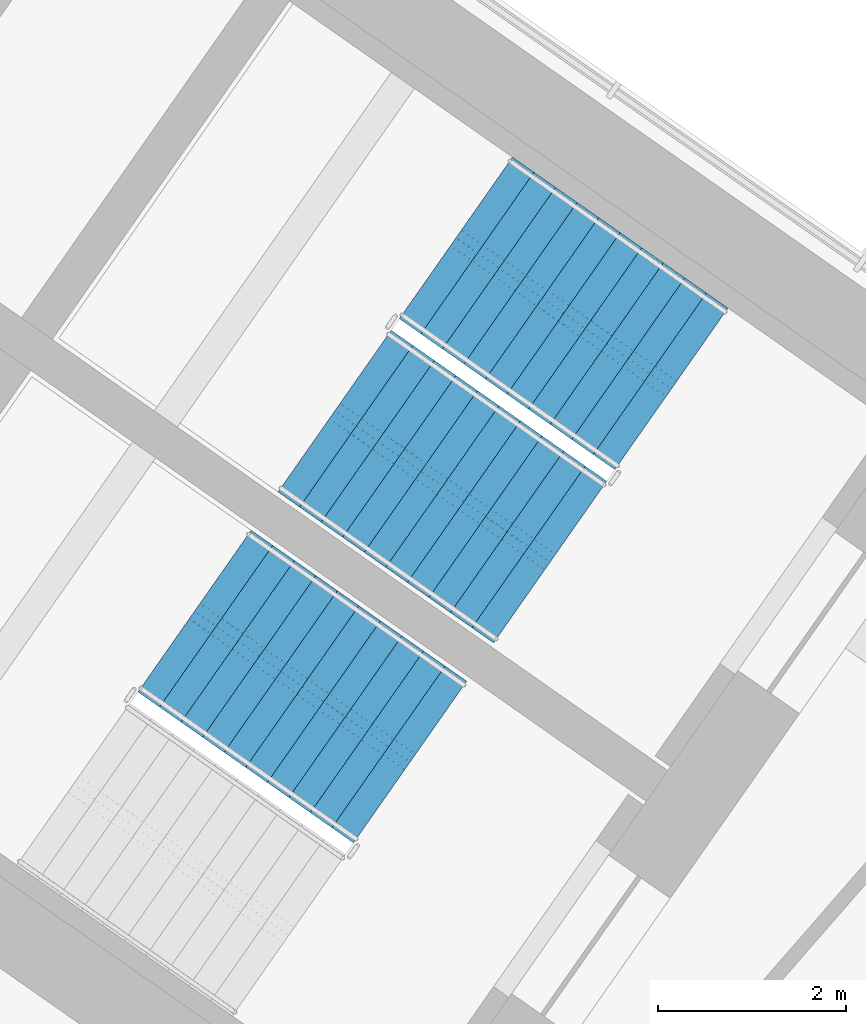
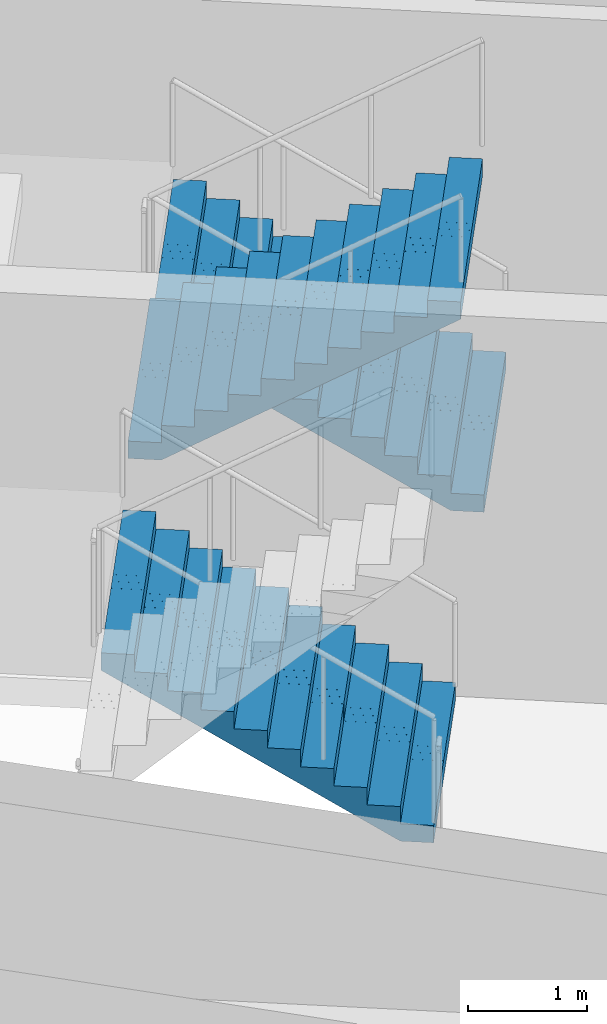
# One storey, part 18 of 23: 3 stair flights, 2 elements without a shape of their own.
"""IFC4 building model written with IfcOpenShell, lengths in metres."""

from ifc_helpers import new_model, si_unit, direction, frame, origin, place, context, subcontext, project, spatial, polyline, outline, extrude, material, type_object, element, aggregate, save


model = new_model("IFC4")

# Units and contexts
model_context = context("Model", 3, precision=1e-05, world=origin(), true_north=direction((0.0, 1.0)))
body_context = subcontext(model_context, "Body", "Model", "MODEL_VIEW")
ifc_project = project(units=[si_unit("LENGTHUNIT", "METRE"), si_unit("AREAUNIT", "SQUARE_METRE"), si_unit("VOLUMEUNIT", "CUBIC_METRE"), si_unit("PLANEANGLEUNIT", "RADIAN"), si_unit("MASSUNIT", "GRAM", prefix="KILO")], contexts=[model_context])

# Site, building, storey
site_placement = place(None, origin())
site = spatial("IfcSite", under=ifc_project, at=site_placement, CompositionType="ELEMENT")
building_placement = place(site_placement, origin())
building = spatial("IfcBuilding", under=site, at=building_placement, Name="Tel Ilan Convention Tower", CompositionType="ELEMENT")
storey_placement = place(building_placement, frame((0.0, 0.0, 178.800048828125)))
storey = spatial("IfcBuildingStorey", under=building, at=storey_placement, Name="L41", CompositionType="ELEMENT", Elevation=178.800048828125)

# Stair, stair flights
ifc_material_1 = material(Name="Concrete C40/50", Category="concrete")
stair_type = type_object("IfcStairType", Name="Pressurised Exit Stair 22 risers 177 mm", PredefinedType="HALF_TURN_STAIR", material=ifc_material_1)
stair_1_placement = place(storey_placement, origin())
stair_1 = element("IfcStair", 1, at=stair_1_placement, inside=storey, type_object=stair_type, Name="L41 Pressurised Stair S3", PredefinedType="HALF_TURN_STAIR")
ifc_material_2 = material(Name="Precast Concrete C40/50", Category="concrete")
stair_flight_type = type_object("IfcStairFlightType", Name="Concrete Stair Flight 2100 mm 22 risers 177 mm", PredefinedType="STRAIGHT", material=ifc_material_2)
stair_flight_1_placement = place(storey_placement, frame((24.25244140625, -7.032470703125, 0.0), z_axis=(0.0, 0.0, 1.0), x_axis=(-0.819152044289, 0.573576436351, 0.0)))
stair_flight_1 = element("IfcStairFlight", 2, at=stair_flight_1_placement, type_object=stair_flight_type, Name="S3 flight 1", NumberOfRisers=11, NumberOfTreads=10, PredefinedType="STRAIGHT", RiserHeight=0.177272727, TreadLength=0.28, context=body_context, shape_type="SweptSolid", body=[
    extrude(outline(polyline([(0.0, 0.0), (0.0, 0.17724609375), (0.280029296875, 0.17724609375), (0.280029296875, 0.3544921875), (0.56005859375, 0.3544921875), (0.56005859375, 0.53173828125), (0.840087890625, 0.53173828125), (0.840087890625, 0.708984375), (1.1201171875, 0.708984375), (1.1201171875, 0.886474609375), (1.39990234375, 0.886474609375), (1.39990234375, 1.063720703125), (1.679931640625, 1.063720703125), (1.679931640625, 1.240966796875), (1.9599609375, 1.240966796875), (1.9599609375, 1.418212890625), (2.239990234375, 1.418212890625), (2.239990234375, 1.595458984375), (2.52001953125, 1.595458984375), (2.52001953125, 1.772705078125), (2.800048828125, 1.772705078125), (2.800048828125, 1.949951171875), (2.800048828125, 1.59521484375), (0.2802734375, 0.0), (0.0, 0.0)])), frame((0.0, -0.100341796875, 0.0), z_axis=(0.0, -1.0, 0.0), x_axis=(1.0, 0.0, 0.0)), (0.0, 0.0, 1.0), 0.94970703125),
    extrude(outline(polyline([(0.0, 0.0), (0.0, 0.17724609375), (0.280029296875, 0.17724609375), (0.280029296875, 0.3544921875), (0.56005859375, 0.3544921875), (0.56005859375, 0.53173828125), (0.840087890625, 0.53173828125), (0.840087890625, 0.708984375), (1.1201171875, 0.708984375), (1.1201171875, 0.886474609375), (1.39990234375, 0.886474609375), (1.39990234375, 1.063720703125), (1.679931640625, 1.063720703125), (1.679931640625, 1.240966796875), (1.9599609375, 1.240966796875), (1.9599609375, 1.418212890625), (2.239990234375, 1.418212890625), (2.239990234375, 1.595458984375), (2.52001953125, 1.595458984375), (2.52001953125, 1.772705078125), (2.800048828125, 1.772705078125), (2.800048828125, 1.949951171875), (2.800048828125, 1.59521484375), (0.2802734375, 0.0), (0.0, 0.0)])), frame((0.0, -0.000244140625, 0.0), z_axis=(0.0, -1.0, 0.0), x_axis=(1.0, 0.0, 0.0)), (0.0, 0.0, 1.0), 0.099609375),
    extrude(outline(polyline([(0.0, 0.0), (0.0, 0.17724609375), (0.280029296875, 0.17724609375), (0.280029296875, 0.3544921875), (0.56005859375, 0.3544921875), (0.56005859375, 0.53173828125), (0.840087890625, 0.53173828125), (0.840087890625, 0.708984375), (1.1201171875, 0.708984375), (1.1201171875, 0.886474609375), (1.39990234375, 0.886474609375), (1.39990234375, 1.063720703125), (1.679931640625, 1.063720703125), (1.679931640625, 1.240966796875), (1.9599609375, 1.240966796875), (1.9599609375, 1.418212890625), (2.239990234375, 1.418212890625), (2.239990234375, 1.595458984375), (2.52001953125, 1.595458984375), (2.52001953125, 1.772705078125), (2.800048828125, 1.772705078125), (2.800048828125, 1.949951171875), (2.800048828125, 1.59521484375), (0.2802734375, 0.0), (0.0, 0.0)])), frame((0.0, 0.099853515625, 0.0), z_axis=(0.0, -1.0, 0.0), x_axis=(1.0, 0.0, 0.0)), (0.0, 0.0, 1.0), 0.099609375),
    extrude(outline(polyline([(0.0, 0.0), (0.0, 0.17724609375), (0.280029296875, 0.17724609375), (0.280029296875, 0.3544921875), (0.56005859375, 0.3544921875), (0.56005859375, 0.53173828125), (0.840087890625, 0.53173828125), (0.840087890625, 0.708984375), (1.1201171875, 0.708984375), (1.1201171875, 0.886474609375), (1.39990234375, 0.886474609375), (1.39990234375, 1.063720703125), (1.679931640625, 1.063720703125), (1.679931640625, 1.240966796875), (1.9599609375, 1.240966796875), (1.9599609375, 1.418212890625), (2.239990234375, 1.418212890625), (2.239990234375, 1.595458984375), (2.52001953125, 1.595458984375), (2.52001953125, 1.772705078125), (2.800048828125, 1.772705078125), (2.800048828125, 1.949951171875), (2.800048828125, 1.59521484375), (0.2802734375, 0.0), (0.0, 0.0)])), frame((0.0, 1.050048828125, 0.0), z_axis=(0.0, -1.0, 0.0), x_axis=(1.0, 0.0, 0.0)), (0.0, 0.0, 1.0), 0.94970703125),
])
stair_flight_2_placement = place(storey_placement, frame((20.668212890625, -7.26953125, 1.949951171875), z_axis=(0.0, 0.0, 1.0), x_axis=(0.819152044289, -0.573576436351, 0.0)))
stair_flight_2 = element("IfcStairFlight", 3, at=stair_flight_2_placement, type_object=stair_flight_type, Name="S3 flight 2", NumberOfRisers=11, NumberOfTreads=10, PredefinedType="STRAIGHT", RiserHeight=0.177272727, TreadLength=0.28, context=body_context, shape_type="SweptSolid", body=[
    extrude(outline(polyline([(0.0, 0.0), (0.0, 0.17724609375), (0.280029296875, 0.17724609375), (0.280029296875, 0.3544921875), (0.56005859375, 0.3544921875), (0.56005859375, 0.53173828125), (0.840087890625, 0.53173828125), (0.840087890625, 0.708984375), (1.1201171875, 0.708984375), (1.1201171875, 0.886474609375), (1.39990234375, 0.886474609375), (1.39990234375, 1.063720703125), (1.679931640625, 1.063720703125), (1.679931640625, 1.240966796875), (1.9599609375, 1.240966796875), (1.9599609375, 1.418212890625), (2.239990234375, 1.418212890625), (2.239990234375, 1.595458984375), (2.52001953125, 1.595458984375), (2.52001953125, 1.772705078125), (2.800048828125, 1.772705078125), (2.800048828125, 1.949951171875), (2.800048828125, 1.59521484375), (0.2802734375, 0.0), (0.0, 0.0)])), frame((0.0, -0.100341796875, 0.0), z_axis=(0.0, -1.0, 0.0), x_axis=(1.0, 0.0, 0.0)), (0.0, 0.0, 1.0), 0.94970703125),
    extrude(outline(polyline([(0.0, 0.0), (0.0, 0.17724609375), (0.280029296875, 0.17724609375), (0.280029296875, 0.3544921875), (0.56005859375, 0.3544921875), (0.56005859375, 0.53173828125), (0.840087890625, 0.53173828125), (0.840087890625, 0.708984375), (1.1201171875, 0.708984375), (1.1201171875, 0.886474609375), (1.39990234375, 0.886474609375), (1.39990234375, 1.063720703125), (1.679931640625, 1.063720703125), (1.679931640625, 1.240966796875), (1.9599609375, 1.240966796875), (1.9599609375, 1.418212890625), (2.239990234375, 1.418212890625), (2.239990234375, 1.595458984375), (2.52001953125, 1.595458984375), (2.52001953125, 1.772705078125), (2.800048828125, 1.772705078125), (2.800048828125, 1.949951171875), (2.800048828125, 1.59521484375), (0.2802734375, 0.0), (0.0, 0.0)])), frame((0.0, -0.000244140625, 0.0), z_axis=(0.0, -1.0, 0.0), x_axis=(1.0, 0.0, 0.0)), (0.0, 0.0, 1.0), 0.099609375),
    extrude(outline(polyline([(0.0, 0.0), (0.0, 0.17724609375), (0.280029296875, 0.17724609375), (0.280029296875, 0.3544921875), (0.56005859375, 0.3544921875), (0.56005859375, 0.53173828125), (0.840087890625, 0.53173828125), (0.840087890625, 0.708984375), (1.1201171875, 0.708984375), (1.1201171875, 0.886474609375), (1.39990234375, 0.886474609375), (1.39990234375, 1.063720703125), (1.679931640625, 1.063720703125), (1.679931640625, 1.240966796875), (1.9599609375, 1.240966796875), (1.9599609375, 1.418212890625), (2.239990234375, 1.418212890625), (2.239990234375, 1.595458984375), (2.52001953125, 1.595458984375), (2.52001953125, 1.772705078125), (2.800048828125, 1.772705078125), (2.800048828125, 1.949951171875), (2.800048828125, 1.59521484375), (0.2802734375, 0.0), (0.0, 0.0)])), frame((0.0, 0.099853515625, 0.0), z_axis=(0.0, -1.0, 0.0), x_axis=(1.0, 0.0, 0.0)), (0.0, 0.0, 1.0), 0.099609375),
    extrude(outline(polyline([(0.0, 0.0), (0.0, 0.17724609375), (0.280029296875, 0.17724609375), (0.280029296875, 0.3544921875), (0.56005859375, 0.3544921875), (0.56005859375, 0.53173828125), (0.840087890625, 0.53173828125), (0.840087890625, 0.708984375), (1.1201171875, 0.708984375), (1.1201171875, 0.886474609375), (1.39990234375, 0.886474609375), (1.39990234375, 1.063720703125), (1.679931640625, 1.063720703125), (1.679931640625, 1.240966796875), (1.9599609375, 1.240966796875), (1.9599609375, 1.418212890625), (2.239990234375, 1.418212890625), (2.239990234375, 1.595458984375), (2.52001953125, 1.595458984375), (2.52001953125, 1.772705078125), (2.800048828125, 1.772705078125), (2.800048828125, 1.949951171875), (2.800048828125, 1.59521484375), (0.2802734375, 0.0), (0.0, 0.0)])), frame((0.0, 1.050048828125, 0.0), z_axis=(0.0, -1.0, 0.0), x_axis=(1.0, 0.0, 0.0)), (0.0, 0.0, 1.0), 0.94970703125),
])
aggregate(stair_1, [stair_flight_1, stair_flight_2])

# Stair, stair flight
stair_2_placement = place(storey_placement, origin())
stair_2 = element("IfcStair", 4, at=stair_2_placement, inside=storey, type_object=stair_type, Name="L41 Pressurised Stair S4", PredefinedType="HALF_TURN_STAIR")
stair_flight_3_placement = place(storey_placement, frame((21.470458984375, -11.00537109375, 0.0), z_axis=(0.0, 0.0, 1.0), x_axis=(-0.819152044289, 0.573576436351, 0.0)))
stair_flight_3 = element("IfcStairFlight", 5, at=stair_flight_3_placement, type_object=stair_flight_type, Name="S4 flight 1", NumberOfRisers=11, NumberOfTreads=10, PredefinedType="STRAIGHT", RiserHeight=0.177272727, TreadLength=0.28, context=body_context, shape_type="SweptSolid", body=[
    extrude(outline(polyline([(0.0, 0.0), (0.0, 0.17724609375), (0.280029296875, 0.17724609375), (0.280029296875, 0.3544921875), (0.56005859375, 0.3544921875), (0.56005859375, 0.53173828125), (0.840087890625, 0.53173828125), (0.840087890625, 0.708984375), (1.1201171875, 0.708984375), (1.1201171875, 0.886474609375), (1.39990234375, 0.886474609375), (1.39990234375, 1.063720703125), (1.679931640625, 1.063720703125), (1.679931640625, 1.240966796875), (1.9599609375, 1.240966796875), (1.9599609375, 1.418212890625), (2.239990234375, 1.418212890625), (2.239990234375, 1.595458984375), (2.52001953125, 1.595458984375), (2.52001953125, 1.772705078125), (2.800048828125, 1.772705078125), (2.800048828125, 1.949951171875), (2.800048828125, 1.59521484375), (0.2802734375, 0.0), (0.0, 0.0)])), frame((0.0, -0.100341796875, 0.0), z_axis=(0.0, -1.0, 0.0), x_axis=(1.0, 0.0, 0.0)), (0.0, 0.0, 1.0), 0.94970703125),
    extrude(outline(polyline([(0.0, 0.0), (0.0, 0.17724609375), (0.280029296875, 0.17724609375), (0.280029296875, 0.3544921875), (0.56005859375, 0.3544921875), (0.56005859375, 0.53173828125), (0.840087890625, 0.53173828125), (0.840087890625, 0.708984375), (1.1201171875, 0.708984375), (1.1201171875, 0.886474609375), (1.39990234375, 0.886474609375), (1.39990234375, 1.063720703125), (1.679931640625, 1.063720703125), (1.679931640625, 1.240966796875), (1.9599609375, 1.240966796875), (1.9599609375, 1.418212890625), (2.239990234375, 1.418212890625), (2.239990234375, 1.595458984375), (2.52001953125, 1.595458984375), (2.52001953125, 1.772705078125), (2.800048828125, 1.772705078125), (2.800048828125, 1.949951171875), (2.800048828125, 1.59521484375), (0.2802734375, 0.0), (0.0, 0.0)])), frame((0.0, -0.000244140625, 0.0), z_axis=(0.0, -1.0, 0.0), x_axis=(1.0, 0.0, 0.0)), (0.0, 0.0, 1.0), 0.099609375),
    extrude(outline(polyline([(0.0, 0.0), (0.0, 0.17724609375), (0.280029296875, 0.17724609375), (0.280029296875, 0.3544921875), (0.56005859375, 0.3544921875), (0.56005859375, 0.53173828125), (0.840087890625, 0.53173828125), (0.840087890625, 0.708984375), (1.1201171875, 0.708984375), (1.1201171875, 0.886474609375), (1.39990234375, 0.886474609375), (1.39990234375, 1.063720703125), (1.679931640625, 1.063720703125), (1.679931640625, 1.240966796875), (1.9599609375, 1.240966796875), (1.9599609375, 1.418212890625), (2.239990234375, 1.418212890625), (2.239990234375, 1.595458984375), (2.52001953125, 1.595458984375), (2.52001953125, 1.772705078125), (2.800048828125, 1.772705078125), (2.800048828125, 1.949951171875), (2.800048828125, 1.59521484375), (0.2802734375, 0.0), (0.0, 0.0)])), frame((0.0, 0.099853515625, 0.0), z_axis=(0.0, -1.0, 0.0), x_axis=(1.0, 0.0, 0.0)), (0.0, 0.0, 1.0), 0.099609375),
    extrude(outline(polyline([(0.0, 0.0), (0.0, 0.17724609375), (0.280029296875, 0.17724609375), (0.280029296875, 0.3544921875), (0.56005859375, 0.3544921875), (0.56005859375, 0.53173828125), (0.840087890625, 0.53173828125), (0.840087890625, 0.708984375), (1.1201171875, 0.708984375), (1.1201171875, 0.886474609375), (1.39990234375, 0.886474609375), (1.39990234375, 1.063720703125), (1.679931640625, 1.063720703125), (1.679931640625, 1.240966796875), (1.9599609375, 1.240966796875), (1.9599609375, 1.418212890625), (2.239990234375, 1.418212890625), (2.239990234375, 1.595458984375), (2.52001953125, 1.595458984375), (2.52001953125, 1.772705078125), (2.800048828125, 1.772705078125), (2.800048828125, 1.949951171875), (2.800048828125, 1.59521484375), (0.2802734375, 0.0), (0.0, 0.0)])), frame((0.0, 1.050048828125, 0.0), z_axis=(0.0, -1.0, 0.0), x_axis=(1.0, 0.0, 0.0)), (0.0, 0.0, 1.0), 0.94970703125),
])
aggregate(stair_2, [stair_flight_3])

save(model, "model.ifc")
